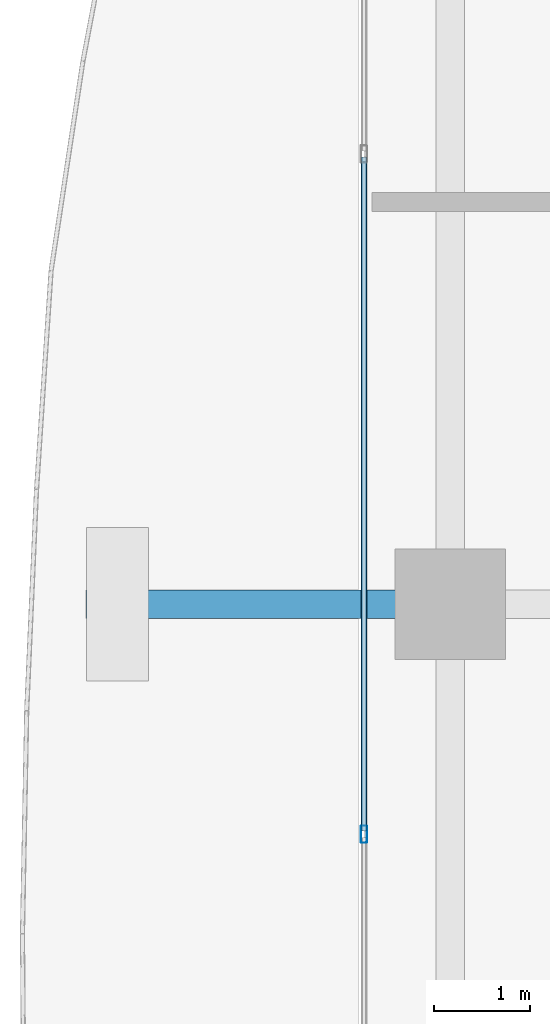
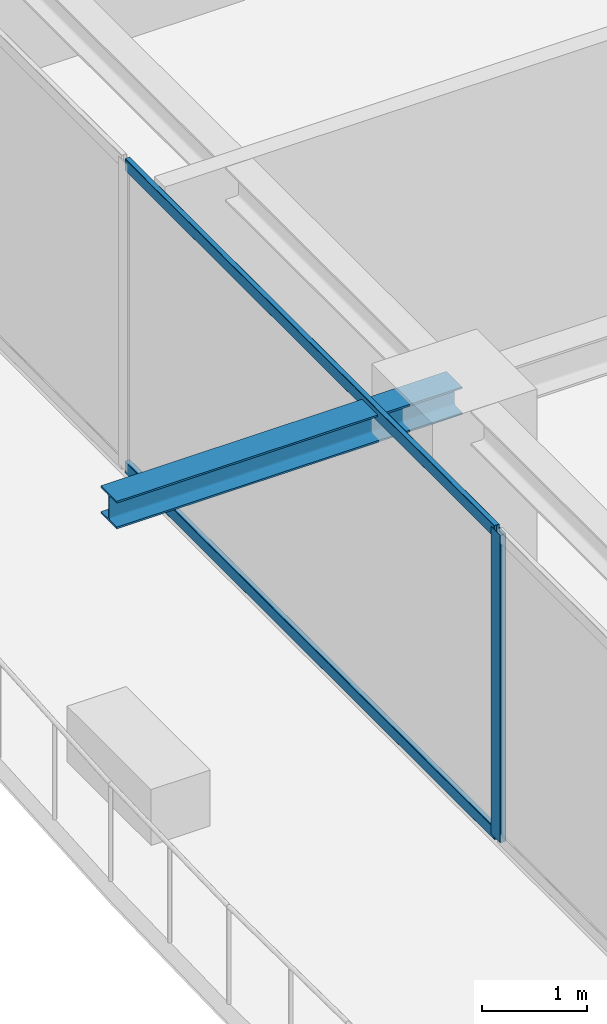
# One storey, part 10 of 39: 3 members, 1 beam, 1 element without a shape of its own.
"""IFC4 building model written with IfcOpenShell, lengths in metres."""

import ifcopenshell
import ifcopenshell.guid

model = None  # the IFC model being written
_history = None  # IfcOwnerHistory: only IFC2X3 demands one
_inside = {}  # id of a spatial element -> (the spatial element, [elements in it])
_under = {}  # id of a project, library or spatial element -> (it, [spatial elements below it])
_declared = {}  # id of a project -> (the project, [libraries it declares])
_typed = {}  # id of a type object -> (the type object, [elements of that type])
_made_of = {}  # id of a material, layer set ... -> (it, [elements and type objects made of it])


def new_model(schema):
    """Start an empty IFC model of exactly this schema.

    Asked for "IFC4X3", IfcOpenShell would pick the latest addendum, in which some entities
    have other attributes; the version numbers below select the first issue.
    IFC2X3 requires an IfcOwnerHistory on every rooted entity: one is made here for all.
    """
    global model, _history
    if schema == "IFC4X3":
        model = ifcopenshell.file(schema_version=(4, 3, 0, 0))
    else:
        model = ifcopenshell.file(schema=schema)
    _inside.clear()
    _under.clear()
    _declared.clear()
    _typed.clear()
    _made_of.clear()
    _history = None
    if model.schema == "IFC2X3":
        org = make("IfcOrganization", Name="unknown")
        user = make(
            "IfcPersonAndOrganization",
            ThePerson=make("IfcPerson", FamilyName="unknown"),
            TheOrganization=org,
        )
        app = make(
            "IfcApplication",
            ApplicationDeveloper=org,
            Version="unknown",
            ApplicationFullName="unknown",
            ApplicationIdentifier="unknown",
        )
        _history = make(
            "IfcOwnerHistory",
            OwningUser=user,
            OwningApplication=app,
            ChangeAction="ADDED",
            CreationDate=0,
        )
    return model


def make(cls, **values):
    """One entity of the class cls with the attributes given. An attribute that is None is left unset."""
    return model.create_entity(
        cls, **{name: value for name, value in values.items() if value is not None}
    )


def rooted(cls, **values):
    """An entity with a GlobalId (a new one), such as an element, a storey or a relation."""
    return make(cls, GlobalId=ifcopenshell.guid.new(), OwnerHistory=_history, **values)


def si_unit(unit_type, name, prefix=None):
    """IfcSIUnit, for example si_unit("LENGTHUNIT", "METRE", prefix="MILLI")."""
    return make("IfcSIUnit", UnitType=unit_type, Prefix=prefix, Name=name)


def assignment(units):
    """IfcUnitAssignment: the units of a project."""
    return None if units is None else make("IfcUnitAssignment", Units=units)


def point(xyz):
    """IfcCartesianPoint."""
    return None if xyz is None else make("IfcCartesianPoint", Coordinates=xyz)


def direction(xyz):
    """IfcDirection."""
    return None if xyz is None else make("IfcDirection", DirectionRatios=xyz)


def frame(location, z_axis=None, x_axis=None):
    """IfcAxis2Placement3D, a coordinate frame: its origin and axes. An axis left out is left unset."""
    return make(
        "IfcAxis2Placement3D",
        Location=point(location),
        Axis=direction(z_axis),
        RefDirection=direction(x_axis),
    )


def frame_2d(location, x_axis=None):
    """IfcAxis2Placement2D, a coordinate frame in the plane: its origin and x axis."""
    return make(
        "IfcAxis2Placement2D", Location=point(location), RefDirection=direction(x_axis)
    )


def origin():
    """The frame at (0, 0, 0) with its axes left unset."""
    return frame((0.0, 0.0, 0.0))


def origin_2d():
    """The frame at (0, 0) in the plane with its x axis left unset."""
    return frame_2d((0.0, 0.0))


def place(relative_to, where):
    """IfcLocalPlacement: puts the frame where relative to a parent placement (None: the world)."""
    return make(
        "IfcLocalPlacement", PlacementRelTo=relative_to, RelativePlacement=where
    )


def context(
    kind, dimensions, precision=None, world=None, true_north=None, identifier=None
):
    """IfcGeometricRepresentationContext, for example the 3D "Model" context."""
    return make(
        "IfcGeometricRepresentationContext",
        ContextIdentifier=identifier,
        ContextType=kind,
        CoordinateSpaceDimension=dimensions,
        Precision=precision,
        WorldCoordinateSystem=world,
        TrueNorth=true_north,
    )


def subcontext(parent, identifier, kind, view, scale=None):
    """IfcGeometricRepresentationSubContext, for example "Body" below "Model"."""
    return make(
        "IfcGeometricRepresentationSubContext",
        ContextIdentifier=identifier,
        ContextType=kind,
        ParentContext=parent,
        TargetScale=scale,
        TargetView=view,
    )


def project(units=None, contexts=None):
    """IfcProject with its units and contexts."""
    return rooted(
        "IfcProject",
        Name="project",
        RepresentationContexts=contexts,
        UnitsInContext=assignment(units),
    )


def spatial(cls, under=None, at=None, **own):
    """A site, building, storey or space (cls), placed at a placement, below another one or the project."""
    s = rooted(cls, ObjectPlacement=at, **own)
    if under is not None:
        _under.setdefault(under.id(), (under, []))[1].append(s)
    return s


def profile(cls, at=None, kind="AREA", **sizes):
    """A parametric profile (cls). Its sizes go by their IFC names, for example OverallWidth=200.0."""
    return make(cls, ProfileType=kind, Position=at, **sizes)


def hollow_rectangle(**sizes):
    """IfcRectangleHollowProfileDef."""
    return profile("IfcRectangleHollowProfileDef", **sizes)


def i_section(**sizes):
    """IfcIShapeProfileDef."""
    return profile("IfcIShapeProfileDef", **sizes)


def extrude(swept, where, along, depth):
    """IfcExtrudedAreaSolid: the profile swept, set in the frame where, extruded along a direction by depth."""
    return make(
        "IfcExtrudedAreaSolid",
        SweptArea=swept,
        Position=where,
        ExtrudedDirection=direction(along),
        Depth=depth,
    )


def shape(context_of_items, identifier, shape_type, items):
    """IfcShapeRepresentation: the items that make up one representation, for example the "Body"."""
    return make(
        "IfcShapeRepresentation",
        ContextOfItems=context_of_items,
        RepresentationIdentifier=identifier,
        RepresentationType=shape_type,
        Items=items,
    )


def source(mapping_origin, context_of_items, identifier, shape_type, items):
    """IfcRepresentationMap: a shape defined once, which mapped items show again and again."""
    return make(
        "IfcRepresentationMap",
        MappingOrigin=mapping_origin,
        MappedRepresentation=shape(context_of_items, identifier, shape_type, items),
    )


def transform(
    local_origin,
    x_axis=None,
    y_axis=None,
    z_axis=None,
    scale=None,
    scale2=None,
    scale3=None,
    uniform=True,
):
    """IfcCartesianTransformationOperator3D, or its non-uniform kind. x_axis, y_axis, z_axis: its Axis1, 2, 3."""
    if uniform:
        return make(
            "IfcCartesianTransformationOperator3D",
            Axis1=direction(x_axis),
            Axis2=direction(y_axis),
            LocalOrigin=point(local_origin),
            Scale=scale,
            Axis3=direction(z_axis),
        )
    return make(
        "IfcCartesianTransformationOperator3DnonUniform",
        Axis1=direction(x_axis),
        Axis2=direction(y_axis),
        LocalOrigin=point(local_origin),
        Scale=scale,
        Axis3=direction(z_axis),
        Scale2=scale2,
        Scale3=scale3,
    )


def mapped(mapping_source, mapping_target):
    """IfcMappedItem: shows the shape of a source again, moved by a transform."""
    return make(
        "IfcMappedItem", MappingSource=mapping_source, MappingTarget=mapping_target
    )


def material(Name=None, Category=None):
    """IfcMaterial."""
    return make("IfcMaterial", Name=Name, Category=Category)


def layer(
    of_material, thickness, ventilated=None, Name=None, Category=None, Priority=None
):
    """IfcMaterialLayer: one layer of a wall or slab, of a material (None: an air gap)."""
    return make(
        "IfcMaterialLayer",
        Material=of_material,
        LayerThickness=thickness,
        IsVentilated=ventilated,
        Name=Name,
        Category=Category,
        Priority=Priority,
    )


def layer_set(layers, Name=None):
    """IfcMaterialLayerSet."""
    return make("IfcMaterialLayerSet", MaterialLayers=layers, LayerSetName=Name)


def material_profile(
    of_material, cross_section, Name=None, Category=None, Priority=None
):
    """IfcMaterialProfile: a cross section and its material."""
    return make(
        "IfcMaterialProfile",
        Name=Name,
        Material=of_material,
        Profile=cross_section,
        Priority=Priority,
        Category=Category,
    )


def profile_set(profiles, Name=None, composite=None):
    """IfcMaterialProfileSet."""
    return make(
        "IfcMaterialProfileSet",
        Name=Name,
        MaterialProfiles=profiles,
        CompositeProfile=composite,
    )


def made_of(thing, what):
    """Note that an element or type object is made of a material, layer set ...; save() writes the relation."""
    if what is not None:
        _made_of.setdefault(what.id(), (what, []))[1].append(thing)
    return thing


def type_object(cls, material=None, **own):
    """A type object (cls), such as IfcWallType, which elements share."""
    return made_of(rooted(cls, **own), material)


def element(
    cls,
    number,
    at=None,
    inside=None,
    cuts=None,
    type_object=None,
    material=None,
    context=None,
    identifier="Body",
    shape_type=None,
    held_by="IfcProductDefinitionShape",
    body=None,
    shapes=None,
    **own,
):
    """One element of the class cls, such as IfcWall. Its Tag is "e" and its number.

    at: its placement. inside: the storey or other place that contains it. cuts: it is an
    opening in that element (IfcRelVoidsElement). A single representation is given by context,
    identifier, shape_type and body (its items); several are given by shapes. held_by: the class
    of the entity that holds the representations. save() writes the other relations.
    """
    e = rooted(cls, Tag="e%d" % number, ObjectPlacement=at, **own)
    if body is not None:
        shapes = [shape(context, identifier, shape_type, body)]
    if shapes is not None:
        e.Representation = make(held_by, Representations=shapes)
    if inside is not None:
        _inside.setdefault(inside.id(), (inside, []))[1].append(e)
    if cuts is not None:
        rooted(
            "IfcRelVoidsElement", RelatingBuildingElement=cuts, RelatedOpeningElement=e
        )
    if type_object is not None:
        _typed.setdefault(type_object.id(), (type_object, []))[1].append(e)
    return made_of(e, material)


def aggregate(whole, parts):
    """IfcRelAggregates: a whole, such as a stair, and the parts it consists of."""
    return rooted("IfcRelAggregates", RelatingObject=whole, RelatedObjects=parts)


def save(model, path):
    """Write the relations noted so far, then the file.

    IfcRelAggregates (storeys below a building ...), IfcRelContainedInSpatialStructure (elements
    in a storey), IfcRelDefinesByType, IfcRelAssociatesMaterial and IfcRelDeclares: one each for
    every whole, place, type object, material and project.
    """
    for whole, parts in _under.values():
        aggregate(whole, parts)
    for where, things in _inside.values():
        rooted(
            "IfcRelContainedInSpatialStructure",
            RelatedElements=things,
            RelatingStructure=where,
        )
    for kind, things in _typed.values():
        rooted("IfcRelDefinesByType", RelatedObjects=things, RelatingType=kind)
    for what, things in _made_of.values():
        rooted("IfcRelAssociatesMaterial", RelatedObjects=things, RelatingMaterial=what)
    for by, libraries in _declared.values():
        rooted("IfcRelDeclares", RelatingContext=by, RelatedDefinitions=libraries)
    model.write(path)


model = new_model("IFC4")

# Units and contexts
model_context = context("Model", 3, precision=1e-05, world=origin(), true_north=direction((0.0, 1.0)))
body_context = subcontext(model_context, "Body", "Model", "MODEL_VIEW")
ifc_project = project(units=[si_unit("LENGTHUNIT", "METRE"), si_unit("AREAUNIT", "SQUARE_METRE"), si_unit("VOLUMEUNIT", "CUBIC_METRE"), si_unit("PLANEANGLEUNIT", "RADIAN"), si_unit("MASSUNIT", "GRAM", prefix="KILO")], contexts=[model_context])

# Site, building, storey
site_placement = place(None, origin())
site = spatial("IfcSite", under=ifc_project, at=site_placement, CompositionType="ELEMENT")
building_placement = place(site_placement, origin())
building = spatial("IfcBuilding", under=site, at=building_placement, Name="Serunith Strait Residences", CompositionType="ELEMENT")
storey_placement = place(building_placement, frame((0.0, 0.0, 222.0)))
storey = spatial("IfcBuildingStorey", under=building, at=storey_placement, Name="L55", CompositionType="ELEMENT", Elevation=222.0)

# Beam
ifc_material_1 = material(Name="Steel S355J2", Category="steel")
ifc_material_profile_1 = material_profile(ifc_material_1, i_section(OverallWidth=0.300048828125, OverallDepth=0.320068359375, WebThickness=0.011474609375, FlangeThickness=0.0205078125, FilletRadius=0.027099609375, at=origin_2d()), Name="HEB 320")
ifc_profile_set_1 = profile_set([ifc_material_profile_1], Name="Steel S355J2")
beam_type = type_object("IfcBeamType", Name="BM-HEB320", PredefinedType="BEAM", material=ifc_profile_set_1)
shared_shape_1 = source(origin(), body_context, "Body", "SweptSolid", [
    extrude(i_section(OverallWidth=0.300048828125, OverallDepth=0.320068359375, WebThickness=0.011474609375, FlangeThickness=0.0205078125, FilletRadius=0.027099609375, at=origin_2d()), origin(), (0.0, 0.0, 1.0), 3.800048828125),
])
beam_placement = place(storey_placement, frame((8.300048828125, 29.39990234375, 3.39697265625), z_axis=(-1.0, 0.0, 0.0), x_axis=(0.0, -1.0, 0.0)))
element("IfcBeam", 1, at=beam_placement, inside=storey, type_object=beam_type, Name="L56 Cantilevered Balcony Rib TC-W3", PredefinedType="BEAM", context=body_context, shape_type="MappedRepresentation", body=[
    mapped(shared_shape_1, transform((0.0, 0.0, 0.0), scale=1.0)),
])

# Curtain wall, members
ifc_material_2 = material(Name="Pale-Champagne Anodised Aluminium", Category="aluminium")
ifc_layer = layer(ifc_material_2, 0.199951171875, Name="Pale-Champagne Anodised Aluminium")
ifc_layer_set = layer_set([ifc_layer], Name="Pale-Champagne Anodised Aluminium")
curtain_wall_type = type_object("IfcCurtainWallType", Name="CW-SYS4", PredefinedType="NOTDEFINED", material=ifc_layer_set)
curtain_wall_placement = place(storey_placement, origin())
curtain_wall = element("IfcCurtainWall", 2, at=curtain_wall_placement, inside=storey, type_object=curtain_wall_type, Name="L55 W Unitised Fritted Curtain Wall", PredefinedType="NOTDEFINED")
ifc_material_profile_2 = material_profile(ifc_material_2, hollow_rectangle(XDim=0.06494140625, YDim=0.179931640625, WallThickness=0.00341796875, InnerFilletRadius=0.00537109375, OuterFilletRadius=0.0087890625, at=origin_2d()), Name="ALU 180x65x3.5")
ifc_profile_set_2 = profile_set([ifc_material_profile_2], Name="Pale-Champagne Anodised Aluminium")
member_type_1 = type_object("IfcMemberType", Name="CW-SYS4-MULL", PredefinedType="MULLION", material=ifc_profile_set_2)
shared_shape_2 = source(origin(), body_context, "Body", "SweptSolid", [
    extrude(hollow_rectangle(XDim=0.06494140625, YDim=0.179931640625, WallThickness=0.00341796875, InnerFilletRadius=0.00537109375, OuterFilletRadius=0.0087890625, at=origin_2d()), origin(), (0.0, 0.0, 1.0), 3.574951171875),
])
member_1_placement = place(storey_placement, frame((7.39990234375, 27.0, 0.0), z_axis=(0.0, 0.0, 1.0), x_axis=(1.0, 0.0, 0.0)))
member_1 = element("IfcMember", 3, at=member_1_placement, type_object=member_type_1, Name="CW-4 mullion 3", PredefinedType="MULLION", context=body_context, shape_type="MappedRepresentation", body=[
    mapped(shared_shape_2, transform((0.0, 0.0, 0.0), scale=1.0)),
])
ifc_material_profile_3 = material_profile(ifc_material_2, hollow_rectangle(XDim=0.06005859375, YDim=0.139892578125, WallThickness=0.00341796875, InnerFilletRadius=0.00537109375, OuterFilletRadius=0.0087890625, at=origin_2d()), Name="ALU 140x60x3.5")
ifc_profile_set_3 = profile_set([ifc_material_profile_3], Name="Pale-Champagne Anodised Aluminium")
member_type_2 = type_object("IfcMemberType", Name="CW-SYS4-TRAN", PredefinedType="USERDEFINED", material=ifc_profile_set_3)
shared_shape_3 = source(origin(), body_context, "Body", "SweptSolid", [
    extrude(hollow_rectangle(XDim=0.06005859375, YDim=0.139892578125, WallThickness=0.00341796875, InnerFilletRadius=0.00537109375, OuterFilletRadius=0.0087890625, at=origin_2d()), origin(), (0.0, 0.0, 1.0), 7.034912109375),
])
member_2_placement = place(storey_placement, frame((7.39990234375, 34.0673828125, 0.030029296875), z_axis=(0.0, -1.0, 0.0), x_axis=(1.0, 0.0, 0.0)))
member_2 = element("IfcMember", 4, at=member_2_placement, type_object=member_type_2, Name="CW-4 transom 2.1", ObjectType="TRANSOM", PredefinedType="USERDEFINED", context=body_context, shape_type="MappedRepresentation", body=[
    mapped(shared_shape_3, transform((0.0, 0.0, 0.0), scale=1.0)),
])
member_3_placement = place(storey_placement, frame((7.39990234375, 34.0673828125, 3.544921875), z_axis=(0.0, -1.0, 0.0), x_axis=(1.0, 0.0, 0.0)))
member_3 = element("IfcMember", 5, at=member_3_placement, type_object=member_type_2, Name="CW-4 transom 2.2", ObjectType="TRANSOM", PredefinedType="USERDEFINED", context=body_context, shape_type="MappedRepresentation", body=[
    mapped(shared_shape_3, transform((0.0, 0.0, 0.0), scale=1.0)),
])
aggregate(curtain_wall, [member_1, member_2, member_3])

save(model, "model.ifc")
